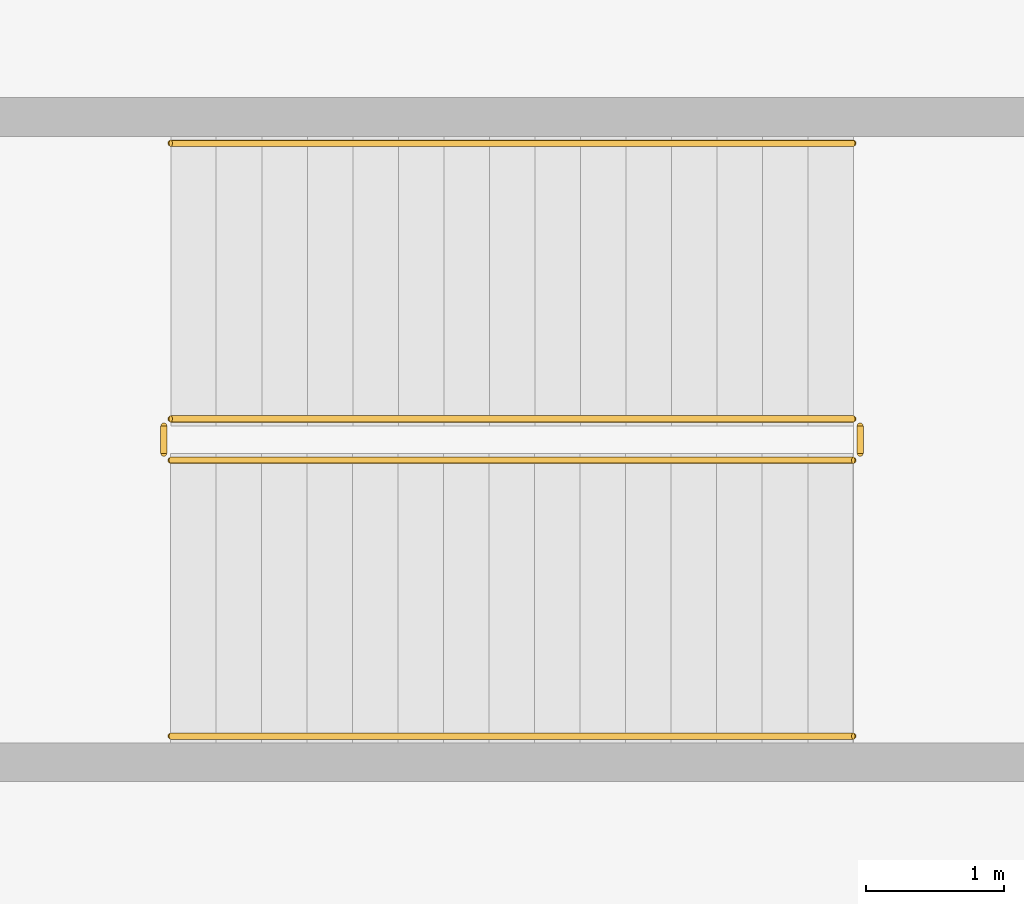
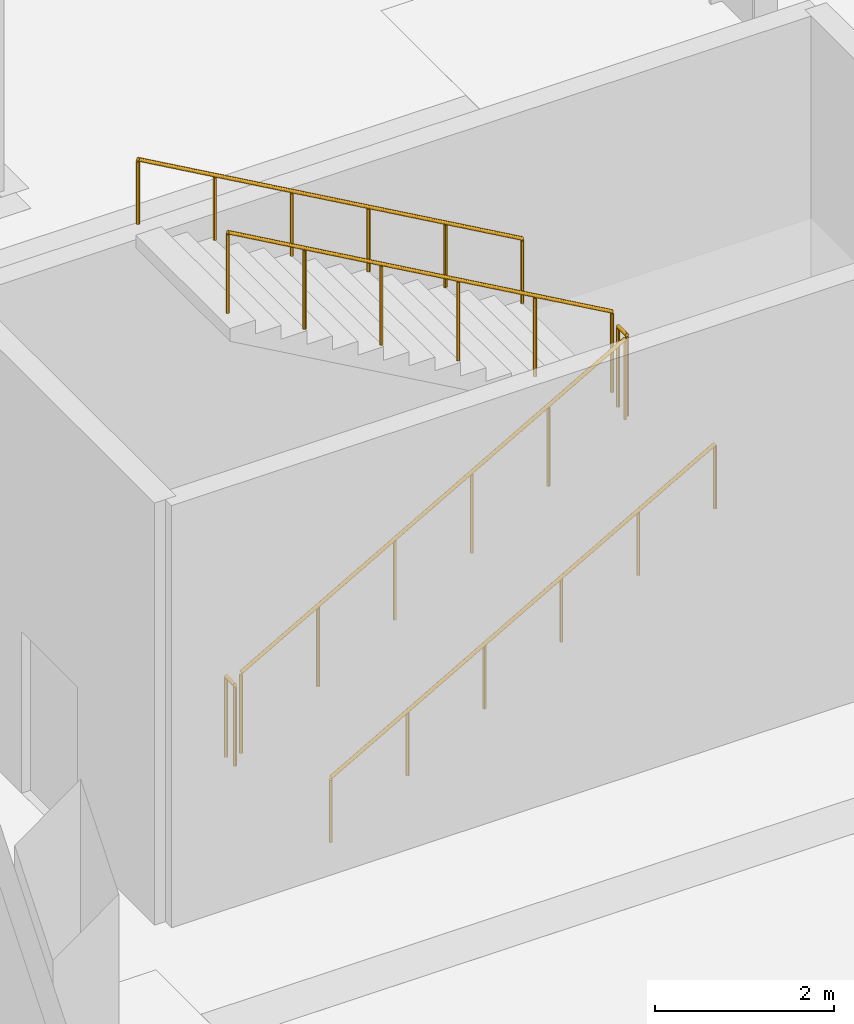
# One storey, part 35 of 46: 6 railings.
"""IFC4 building model written with IfcOpenShell, lengths in metres."""

from ifc_helpers import new_model, si_unit, direction, frame, origin, origin_2d, place, context, subcontext, project, spatial, circle, extrude, material, type_object, element, save


model = new_model("IFC4")

# Units and contexts
model_context = context("Model", 3, precision=1e-05, world=origin(), true_north=direction((0.0, 1.0)))
body_context = subcontext(model_context, "Body", "Model", "MODEL_VIEW")
ifc_project = project(units=[si_unit("LENGTHUNIT", "METRE"), si_unit("AREAUNIT", "SQUARE_METRE"), si_unit("VOLUMEUNIT", "CUBIC_METRE"), si_unit("PLANEANGLEUNIT", "RADIAN"), si_unit("MASSUNIT", "GRAM", prefix="KILO")], contexts=[model_context])

# Site, building, storey
site_placement = place(None, origin())
site = spatial("IfcSite", under=ifc_project, at=site_placement, CompositionType="ELEMENT")
building_placement = place(site_placement, origin())
building = spatial("IfcBuilding", under=site, at=building_placement, Name="Kimbaza Rail Terminus", CompositionType="ELEMENT")
storey_placement = place(building_placement, frame((0.0, 0.0, -6.0)))
storey = spatial("IfcBuildingStorey", under=building, at=storey_placement, Name="B1", CompositionType="ELEMENT", Elevation=-6.0)

# Railings
ifc_material_1 = material(Name="Brushed stainless steel handrail", Category="steel")
railing_type_1 = type_object("IfcRailingType", Name="ARC-RL-HND92", PredefinedType="HANDRAIL", material=ifc_material_1)
railing_1_placement = place(storey_placement, frame((59.89990234375, 43.25, 0.1875)))
element("IfcRailing", 1, at=railing_1_placement, inside=storey, type_object=railing_type_1, Name="B1 ST-S1 stair handrail 1", PredefinedType="HANDRAIL", context=body_context, shape_type="SweptSolid", body=[
    extrude(circle(Radius=0.02392578125, at=origin_2d()), frame((0.0, 0.0, 0.8759765625), z_axis=(0.869464929287, 0.0, 0.493994672785), x_axis=(0.0, 1.0, 0.0)), (0.0, 0.0, 1.0), 5.693359375),
    extrude(circle(Radius=0.02099609375, at=origin_2d()), origin(), (0.0, 0.0, 1.0), 0.851806640625),
    extrude(circle(Radius=0.02099609375, at=origin_2d()), frame((0.989990234375, 0.0, 0.5625)), (0.0, 0.0, 1.0), 0.851806640625),
    extrude(circle(Radius=0.02099609375, at=origin_2d()), frame((1.97998046875, 0.0, 1.125)), (0.0, 0.0, 1.0), 0.851806640625),
    extrude(circle(Radius=0.02099609375, at=origin_2d()), frame((2.97021484375, 0.0, 1.6875)), (0.0, 0.0, 1.0), 0.851806640625),
    extrude(circle(Radius=0.02099609375, at=origin_2d()), frame((3.960205078125, 0.0, 2.25)), (0.0, 0.0, 1.0), 0.851806640625),
    extrude(circle(Radius=0.02099609375, at=origin_2d()), frame((4.9501953125, 0.0, 2.8125)), (0.0, 0.0, 1.0), 0.851806640625),
])
railing_2_placement = place(storey_placement, frame((64.85009765625, 47.550048828125, 3.1875)))
element("IfcRailing", 2, at=railing_2_placement, inside=storey, type_object=railing_type_1, Name="B1 ST-S1 stair handrail 2", PredefinedType="HANDRAIL", context=body_context, shape_type="SweptSolid", body=[
    extrude(circle(Radius=0.02392578125, at=origin_2d()), frame((0.0, 0.0, 0.8759765625), z_axis=(-0.869464929287, 0.0, 0.493994672785), x_axis=(0.0, -1.0, 0.0)), (0.0, 0.0, 1.0), 5.693359375),
    extrude(circle(Radius=0.02099609375, at=origin_2d()), origin(), (0.0, 0.0, 1.0), 0.851806640625),
    extrude(circle(Radius=0.02099609375, at=origin_2d()), frame((-0.989990234375, 0.0, 0.5625)), (0.0, 0.0, 1.0), 0.851806640625),
    extrude(circle(Radius=0.02099609375, at=origin_2d()), frame((-1.97998046875, 0.0, 1.125)), (0.0, 0.0, 1.0), 0.851806640625),
    extrude(circle(Radius=0.02099609375, at=origin_2d()), frame((-2.97021484375, 0.0, 1.6875)), (0.0, 0.0, 1.0), 0.851806640625),
    extrude(circle(Radius=0.02099609375, at=origin_2d()), frame((-3.960205078125, 0.0, 2.25)), (0.0, 0.0, 1.0), 0.851806640625),
    extrude(circle(Radius=0.02099609375, at=origin_2d()), frame((-4.9501953125, 0.0, 2.8125)), (0.0, 0.0, 1.0), 0.851806640625),
])
ifc_material_2 = material(Name="Painted tubular steel stair well guard", Category="steel")
railing_type_2 = type_object("IfcRailingType", Name="ARC-RL-STGRD", PredefinedType="GUARDRAIL", material=ifc_material_2)
railing_3_placement = place(storey_placement, frame((59.89990234375, 45.25, 0.1875)))
element("IfcRailing", 3, at=railing_3_placement, inside=storey, type_object=railing_type_2, Name="B1 ST-S1 stair guard 1", PredefinedType="GUARDRAIL", context=body_context, shape_type="SweptSolid", body=[
    extrude(circle(Radius=0.02392578125, at=origin_2d()), frame((0.0, 0.0, 1.09619140625), z_axis=(0.869464929287, 0.0, 0.493994672785), x_axis=(0.0, 1.0, 0.0)), (0.0, 0.0, 1.0), 5.693359375),
    extrude(circle(Radius=0.02099609375, at=origin_2d()), origin(), (0.0, 0.0, 1.0), 1.072021484375),
    extrude(circle(Radius=0.02099609375, at=origin_2d()), frame((0.989990234375, 0.0, 0.5625)), (0.0, 0.0, 1.0), 1.072021484375),
    extrude(circle(Radius=0.02099609375, at=origin_2d()), frame((1.97998046875, 0.0, 1.125)), (0.0, 0.0, 1.0), 1.072021484375),
    extrude(circle(Radius=0.02099609375, at=origin_2d()), frame((2.97021484375, 0.0, 1.6875)), (0.0, 0.0, 1.0), 1.072021484375),
    extrude(circle(Radius=0.02099609375, at=origin_2d()), frame((3.960205078125, 0.0, 2.25)), (0.0, 0.0, 1.0), 1.072021484375),
    extrude(circle(Radius=0.02099609375, at=origin_2d()), frame((4.9501953125, 0.0, 2.8125)), (0.0, 0.0, 1.0), 1.072021484375),
])
railing_4_placement = place(storey_placement, frame((64.89990234375, 45.300048828125, 3.0)))
element("IfcRailing", 4, at=railing_4_placement, inside=storey, type_object=railing_type_2, Name="B1 ST-S1 stair guard 2", PredefinedType="GUARDRAIL", context=body_context, shape_type="SweptSolid", body=[
    extrude(circle(Radius=0.02392578125, at=origin_2d()), frame((0.0, 0.0, 1.09619140625), z_axis=(0.0, 1.0, 0.0), x_axis=(-1.0, 0.0, 0.0)), (0.0, 0.0, 1.0), 0.199951171875),
    extrude(circle(Radius=0.02099609375, at=origin_2d()), origin(), (0.0, 0.0, 1.0), 1.072021484375),
    extrude(circle(Radius=0.02099609375, at=origin_2d()), frame((0.0, 0.199951171875, 0.0)), (0.0, 0.0, 1.0), 1.072021484375),
])
railing_5_placement = place(storey_placement, frame((64.85009765625, 45.550048828125, 3.1875)))
element("IfcRailing", 5, at=railing_5_placement, inside=storey, type_object=railing_type_2, Name="B1 ST-S1 stair guard 3", PredefinedType="GUARDRAIL", context=body_context, shape_type="SweptSolid", body=[
    extrude(circle(Radius=0.02392578125, at=origin_2d()), frame((0.0, 0.0, 1.09619140625), z_axis=(-0.869464929287, 0.0, 0.493994672785), x_axis=(0.0, -1.0, 0.0)), (0.0, 0.0, 1.0), 5.693359375),
    extrude(circle(Radius=0.02099609375, at=origin_2d()), origin(), (0.0, 0.0, 1.0), 1.072021484375),
    extrude(circle(Radius=0.02099609375, at=origin_2d()), frame((-0.989990234375, 0.0, 0.5625)), (0.0, 0.0, 1.0), 1.072021484375),
    extrude(circle(Radius=0.02099609375, at=origin_2d()), frame((-1.97998046875, 0.0, 1.125)), (0.0, 0.0, 1.0), 1.072021484375),
    extrude(circle(Radius=0.02099609375, at=origin_2d()), frame((-2.97021484375, 0.0, 1.6875)), (0.0, 0.0, 1.0), 1.072021484375),
    extrude(circle(Radius=0.02099609375, at=origin_2d()), frame((-3.960205078125, 0.0, 2.25)), (0.0, 0.0, 1.0), 1.072021484375),
    extrude(circle(Radius=0.02099609375, at=origin_2d()), frame((-4.9501953125, 0.0, 2.8125)), (0.0, 0.0, 1.0), 1.072021484375),
])
railing_6_placement = place(storey_placement, frame((59.85009765625, 45.300048828125, 0.0)))
element("IfcRailing", 6, at=railing_6_placement, inside=storey, type_object=railing_type_2, Name="B1 ST-S1 stair guard 4", PredefinedType="GUARDRAIL", context=body_context, shape_type="SweptSolid", body=[
    extrude(circle(Radius=0.02392578125, at=origin_2d()), frame((0.0, 0.0, 1.09619140625), z_axis=(0.0, 1.0, 0.0), x_axis=(-1.0, 0.0, 0.0)), (0.0, 0.0, 1.0), 0.199951171875),
    extrude(circle(Radius=0.02099609375, at=origin_2d()), origin(), (0.0, 0.0, 1.0), 1.072021484375),
    extrude(circle(Radius=0.02099609375, at=origin_2d()), frame((0.0, 0.199951171875, 0.0)), (0.0, 0.0, 1.0), 1.072021484375),
])

save(model, "model.ifc")
